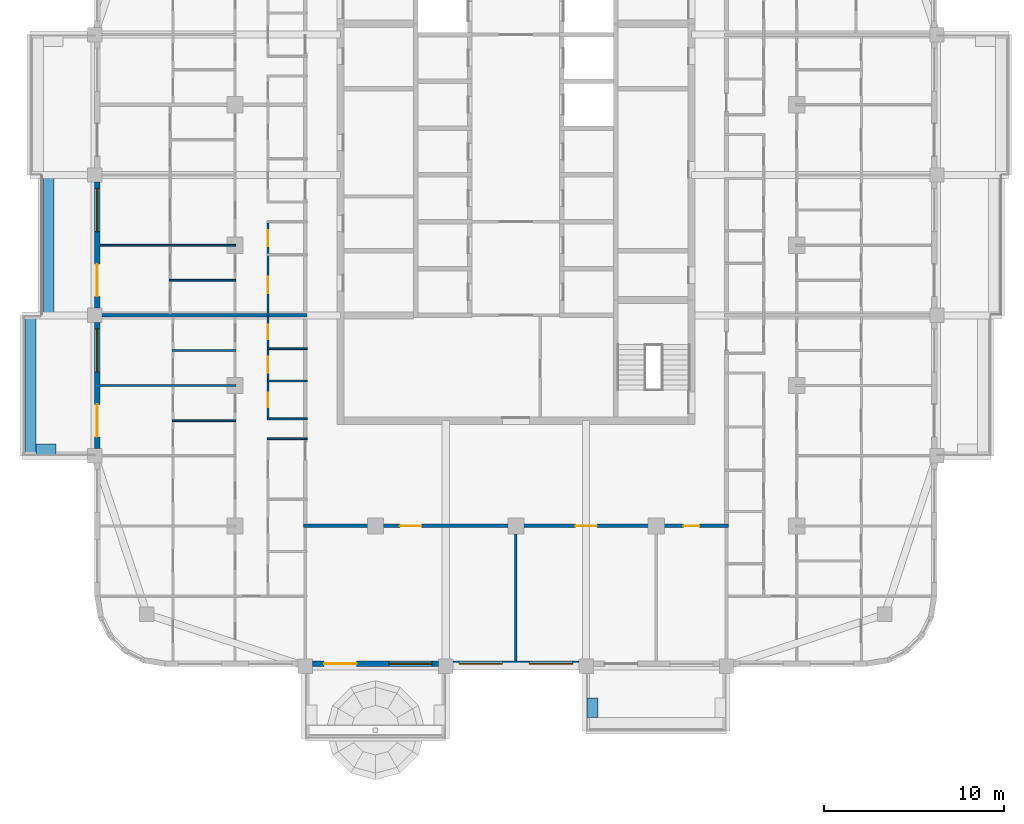
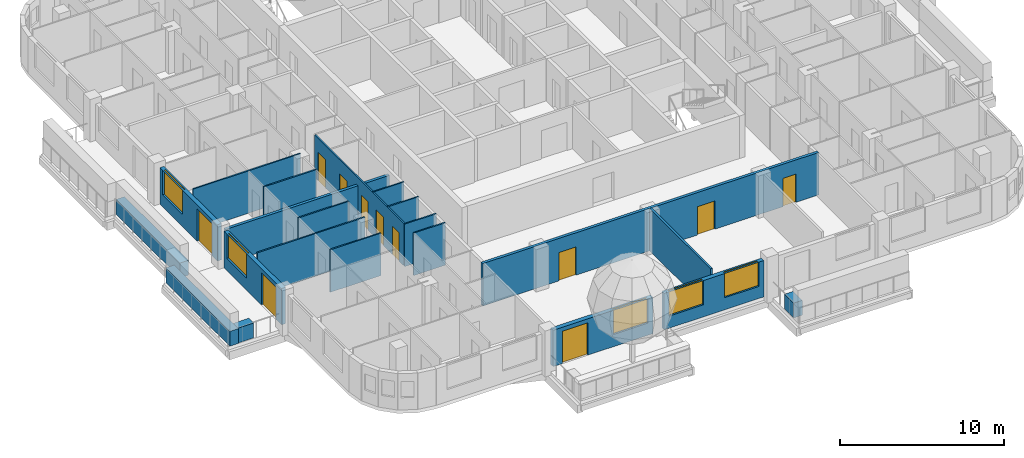
# One storey, part 3 of 17: 21 walls, 11 doors, 5 windows, 16 openings.
"""IFC4 building model written with IfcOpenShell, lengths in metres."""

import ifcopenshell
import ifcopenshell.guid

model = None  # the IFC model being written
_history = None  # IfcOwnerHistory: only IFC2X3 demands one
_inside = {}  # id of a spatial element -> (the spatial element, [elements in it])
_under = {}  # id of a project, library or spatial element -> (it, [spatial elements below it])
_declared = {}  # id of a project -> (the project, [libraries it declares])
_typed = {}  # id of a type object -> (the type object, [elements of that type])
_made_of = {}  # id of a material, layer set ... -> (it, [elements and type objects made of it])


def new_model(schema):
    """Start an empty IFC model of exactly this schema.

    Asked for "IFC4X3", IfcOpenShell would pick the latest addendum, in which some entities
    have other attributes; the version numbers below select the first issue.
    IFC2X3 requires an IfcOwnerHistory on every rooted entity: one is made here for all.
    """
    global model, _history
    if schema == "IFC4X3":
        model = ifcopenshell.file(schema_version=(4, 3, 0, 0))
    else:
        model = ifcopenshell.file(schema=schema)
    _inside.clear()
    _under.clear()
    _declared.clear()
    _typed.clear()
    _made_of.clear()
    _history = None
    if model.schema == "IFC2X3":
        org = make("IfcOrganization", Name="unknown")
        user = make(
            "IfcPersonAndOrganization",
            ThePerson=make("IfcPerson", FamilyName="unknown"),
            TheOrganization=org,
        )
        app = make(
            "IfcApplication",
            ApplicationDeveloper=org,
            Version="unknown",
            ApplicationFullName="unknown",
            ApplicationIdentifier="unknown",
        )
        _history = make(
            "IfcOwnerHistory",
            OwningUser=user,
            OwningApplication=app,
            ChangeAction="ADDED",
            CreationDate=0,
        )
    return model


def make(cls, **values):
    """One entity of the class cls with the attributes given. An attribute that is None is left unset."""
    return model.create_entity(
        cls, **{name: value for name, value in values.items() if value is not None}
    )


def rooted(cls, **values):
    """An entity with a GlobalId (a new one), such as an element, a storey or a relation."""
    return make(cls, GlobalId=ifcopenshell.guid.new(), OwnerHistory=_history, **values)


def si_unit(unit_type, name, prefix=None):
    """IfcSIUnit, for example si_unit("LENGTHUNIT", "METRE", prefix="MILLI")."""
    return make("IfcSIUnit", UnitType=unit_type, Prefix=prefix, Name=name)


def assignment(units):
    """IfcUnitAssignment: the units of a project."""
    return None if units is None else make("IfcUnitAssignment", Units=units)


def point(xyz):
    """IfcCartesianPoint."""
    return None if xyz is None else make("IfcCartesianPoint", Coordinates=xyz)


def direction(xyz):
    """IfcDirection."""
    return None if xyz is None else make("IfcDirection", DirectionRatios=xyz)


def frame(location, z_axis=None, x_axis=None):
    """IfcAxis2Placement3D, a coordinate frame: its origin and axes. An axis left out is left unset."""
    return make(
        "IfcAxis2Placement3D",
        Location=point(location),
        Axis=direction(z_axis),
        RefDirection=direction(x_axis),
    )


def frame_2d(location, x_axis=None):
    """IfcAxis2Placement2D, a coordinate frame in the plane: its origin and x axis."""
    return make(
        "IfcAxis2Placement2D", Location=point(location), RefDirection=direction(x_axis)
    )


def origin():
    """The frame at (0, 0, 0) with its axes left unset."""
    return frame((0.0, 0.0, 0.0))


def place(relative_to, where):
    """IfcLocalPlacement: puts the frame where relative to a parent placement (None: the world)."""
    return make(
        "IfcLocalPlacement", PlacementRelTo=relative_to, RelativePlacement=where
    )


def context(
    kind, dimensions, precision=None, world=None, true_north=None, identifier=None
):
    """IfcGeometricRepresentationContext, for example the 3D "Model" context."""
    return make(
        "IfcGeometricRepresentationContext",
        ContextIdentifier=identifier,
        ContextType=kind,
        CoordinateSpaceDimension=dimensions,
        Precision=precision,
        WorldCoordinateSystem=world,
        TrueNorth=true_north,
    )


def subcontext(parent, identifier, kind, view, scale=None):
    """IfcGeometricRepresentationSubContext, for example "Body" below "Model"."""
    return make(
        "IfcGeometricRepresentationSubContext",
        ContextIdentifier=identifier,
        ContextType=kind,
        ParentContext=parent,
        TargetScale=scale,
        TargetView=view,
    )


def project(units=None, contexts=None):
    """IfcProject with its units and contexts."""
    return rooted(
        "IfcProject",
        Name="project",
        RepresentationContexts=contexts,
        UnitsInContext=assignment(units),
    )


def spatial(cls, under=None, at=None, **own):
    """A site, building, storey or space (cls), placed at a placement, below another one or the project."""
    s = rooted(cls, ObjectPlacement=at, **own)
    if under is not None:
        _under.setdefault(under.id(), (under, []))[1].append(s)
    return s


def profile(cls, at=None, kind="AREA", **sizes):
    """A parametric profile (cls). Its sizes go by their IFC names, for example OverallWidth=200.0."""
    return make(cls, ProfileType=kind, Position=at, **sizes)


def rectangle(**sizes):
    """IfcRectangleProfileDef."""
    return profile("IfcRectangleProfileDef", **sizes)


def extrude(swept, where, along, depth):
    """IfcExtrudedAreaSolid: the profile swept, set in the frame where, extruded along a direction by depth."""
    return make(
        "IfcExtrudedAreaSolid",
        SweptArea=swept,
        Position=where,
        ExtrudedDirection=direction(along),
        Depth=depth,
    )


def shape(context_of_items, identifier, shape_type, items):
    """IfcShapeRepresentation: the items that make up one representation, for example the "Body"."""
    return make(
        "IfcShapeRepresentation",
        ContextOfItems=context_of_items,
        RepresentationIdentifier=identifier,
        RepresentationType=shape_type,
        Items=items,
    )


def material(Name=None, Category=None):
    """IfcMaterial."""
    return make("IfcMaterial", Name=Name, Category=Category)


def layer(
    of_material, thickness, ventilated=None, Name=None, Category=None, Priority=None
):
    """IfcMaterialLayer: one layer of a wall or slab, of a material (None: an air gap)."""
    return make(
        "IfcMaterialLayer",
        Material=of_material,
        LayerThickness=thickness,
        IsVentilated=ventilated,
        Name=Name,
        Category=Category,
        Priority=Priority,
    )


def layer_set(layers, Name=None):
    """IfcMaterialLayerSet."""
    return make("IfcMaterialLayerSet", MaterialLayers=layers, LayerSetName=Name)


def made_of(thing, what):
    """Note that an element or type object is made of a material, layer set ...; save() writes the relation."""
    if what is not None:
        _made_of.setdefault(what.id(), (what, []))[1].append(thing)
    return thing


def type_object(cls, material=None, **own):
    """A type object (cls), such as IfcWallType, which elements share."""
    return made_of(rooted(cls, **own), material)


def element(
    cls,
    number,
    at=None,
    inside=None,
    cuts=None,
    type_object=None,
    material=None,
    context=None,
    identifier="Body",
    shape_type=None,
    held_by="IfcProductDefinitionShape",
    body=None,
    shapes=None,
    **own,
):
    """One element of the class cls, such as IfcWall. Its Tag is "e" and its number.

    at: its placement. inside: the storey or other place that contains it. cuts: it is an
    opening in that element (IfcRelVoidsElement). A single representation is given by context,
    identifier, shape_type and body (its items); several are given by shapes. held_by: the class
    of the entity that holds the representations. save() writes the other relations.
    """
    e = rooted(cls, Tag="e%d" % number, ObjectPlacement=at, **own)
    if body is not None:
        shapes = [shape(context, identifier, shape_type, body)]
    if shapes is not None:
        e.Representation = make(held_by, Representations=shapes)
    if inside is not None:
        _inside.setdefault(inside.id(), (inside, []))[1].append(e)
    if cuts is not None:
        rooted(
            "IfcRelVoidsElement", RelatingBuildingElement=cuts, RelatedOpeningElement=e
        )
    if type_object is not None:
        _typed.setdefault(type_object.id(), (type_object, []))[1].append(e)
    return made_of(e, material)


def fill(opening, filler):
    """IfcRelFillsElement: the door or window that sits in an opening."""
    return rooted(
        "IfcRelFillsElement",
        RelatingOpeningElement=opening,
        RelatedBuildingElement=filler,
    )


def aggregate(whole, parts):
    """IfcRelAggregates: a whole, such as a stair, and the parts it consists of."""
    return rooted("IfcRelAggregates", RelatingObject=whole, RelatedObjects=parts)


def save(model, path):
    """Write the relations noted so far, then the file.

    IfcRelAggregates (storeys below a building ...), IfcRelContainedInSpatialStructure (elements
    in a storey), IfcRelDefinesByType, IfcRelAssociatesMaterial and IfcRelDeclares: one each for
    every whole, place, type object, material and project.
    """
    for whole, parts in _under.values():
        aggregate(whole, parts)
    for where, things in _inside.values():
        rooted(
            "IfcRelContainedInSpatialStructure",
            RelatedElements=things,
            RelatingStructure=where,
        )
    for kind, things in _typed.values():
        rooted("IfcRelDefinesByType", RelatedObjects=things, RelatingType=kind)
    for what, things in _made_of.values():
        rooted("IfcRelAssociatesMaterial", RelatedObjects=things, RelatingMaterial=what)
    for by, libraries in _declared.values():
        rooted("IfcRelDeclares", RelatingContext=by, RelatedDefinitions=libraries)
    model.write(path)


model = new_model("IFC4")

# Units and contexts
model_context = context("Model", 3, precision=1e-05, world=origin(), true_north=direction((0.0, 1.0)))
body_context = subcontext(model_context, "Body", "Model", "MODEL_VIEW")
ifc_project = project(units=[si_unit("LENGTHUNIT", "METRE"), si_unit("AREAUNIT", "SQUARE_METRE"), si_unit("VOLUMEUNIT", "CUBIC_METRE"), si_unit("PLANEANGLEUNIT", "RADIAN"), si_unit("MASSUNIT", "GRAM", prefix="KILO")], contexts=[model_context])

# Site, building, storey
site_placement = place(None, origin())
site = spatial("IfcSite", under=ifc_project, at=site_placement, CompositionType="ELEMENT")
building_placement = place(site_placement, origin())
building = spatial("IfcBuilding", under=site, at=building_placement, Name="Ludao Terraces", CompositionType="ELEMENT")
storey_placement = place(building_placement, frame((0.0, 0.0, 231.300048828125)))
storey = spatial("IfcBuildingStorey", under=building, at=storey_placement, Name="L63", CompositionType="ELEMENT", Elevation=231.300048828125)

# Walls
ifc_material_1 = material(Name="Concrete C40", Category="concrete")
ifc_layer_1 = layer(ifc_material_1, 0.60009765625)
ifc_layer_set_1 = layer_set([ifc_layer_1], Name="ENV Planter trough 600")
wall_type_1 = type_object("IfcWallType", Name="ENV Planter trough 600", PredefinedType="USERDEFINED", material=ifc_layer_set_1)
wall_1_placement = place(storey_placement, frame((89.25, 38.75, 0.0), z_axis=(0.0, 0.0, 1.0), x_axis=(0.0, 1.0, 0.0)))
element("IfcWall", 1, at=wall_1_placement, inside=storey, type_object=wall_type_1, Name="PL-L63-S3-SA", ObjectType="PLANTER", PredefinedType="USERDEFINED", context=body_context, shape_type="SweptSolid", body=[
    extrude(rectangle(XDim=1.10009765625, YDim=0.60009765625, at=frame_2d((0.550048828125, 0.0))), origin(), (0.0, 0.0, 1.0), 1.099853515625),
])
wall_2_placement = place(storey_placement, frame((58.050048828125, 53.300048828125, 0.0), z_axis=(0.0, 0.0, 1.0), x_axis=(0.0, 1.0, 0.0)))
element("IfcWall", 2, at=wall_2_placement, inside=storey, type_object=wall_type_1, Name="PL-L63-W1", ObjectType="PLANTER", PredefinedType="USERDEFINED", context=body_context, shape_type="SweptSolid", body=[
    extrude(rectangle(XDim=7.800048828125, YDim=0.60009765625, at=frame_2d((3.89990234375, 0.0))), origin(), (0.0, 0.0, 1.0), 1.099853515625),
])
wall_3_placement = place(storey_placement, frame((58.35009765625, 53.64990234375, 0.0), z_axis=(0.0, 0.0, 1.0), x_axis=(1.0, 0.0, 0.0)))
element("IfcWall", 3, at=wall_3_placement, inside=storey, type_object=wall_type_1, Name="PL-L63-W1-SA", ObjectType="PLANTER", PredefinedType="USERDEFINED", context=body_context, shape_type="SweptSolid", body=[
    extrude(rectangle(XDim=1.099853515625, YDim=0.60009765625, at=frame_2d((0.5498046875, 0.0))), origin(), (0.0, 0.0, 1.0), 1.099853515625),
])
wall_4_placement = place(storey_placement, frame((59.050048828125, 61.10009765625, 0.0), z_axis=(0.0, 0.0, 1.0), x_axis=(0.0, 1.0, 0.0)))
element("IfcWall", 4, at=wall_4_placement, inside=storey, type_object=wall_type_1, Name="PL-L63-W2", ObjectType="PLANTER", PredefinedType="USERDEFINED", context=body_context, shape_type="SweptSolid", body=[
    extrude(rectangle(XDim=7.7998046875, YDim=0.60009765625, at=frame_2d((3.89990234375, 0.0))), origin(), (0.0, 0.0, 1.0), 1.099853515625),
])

# Wall, openings, door, window
ifc_material_2 = material(Name="Granite cladding", Category="masonry")
ifc_layer_2 = layer(ifc_material_2, 0.0400390625, Category="stone")
ifc_material_3 = material(Name="Mineral wool")
ifc_layer_3 = layer(ifc_material_3, 0.06005859375)
ifc_layer_4 = layer(ifc_material_1, 0.199951171875, Category="concrete")
ifc_layer_set_2 = layer_set([ifc_layer_2, ifc_layer_3, ifc_layer_4], Name="ENV Stone-clad wall 300")
wall_type_2 = type_object("IfcWallType", Name="ENV Stone-clad wall 300", PredefinedType="SOLIDWALL", material=ifc_layer_set_2)
wall_5_placement = place(storey_placement, frame((73.699951171875, 41.75, 0.0), z_axis=(0.0, 0.0, 1.0), x_axis=(1.0, 0.0, 0.0)))
wall_5 = element("IfcWall", 5, at=wall_5_placement, inside=storey, type_object=wall_type_2, Name="EW-L63-S2", PredefinedType="SOLIDWALL", context=body_context, shape_type="SweptSolid", body=[
    extrude(rectangle(XDim=7.0, YDim=0.300048828125, at=frame_2d((3.5, 0.0))), origin(), (0.0, 0.0, 1.0), 2.699951171875),
])
opening_1_placement = place(wall_5_placement, frame((0.64990234375, 0.0, 0.0)))
opening_1 = element("IfcOpeningElement", 6, at=opening_1_placement, cuts=wall_5, Name="Opening BD", PredefinedType="OPENING", context=body_context, shape_type="SweptSolid", body=[
    extrude(rectangle(XDim=1.800048828125, YDim=2.39990234375, at=frame_2d((0.89990234375, 1.199951171875))), frame((0.0, 0.16015625, 0.0), z_axis=(0.0, -1.0, 0.0), x_axis=(1.0, 0.0, 0.0)), (0.0, 0.0, 1.0), 0.320068359375),
])
opening_2_placement = place(wall_5_placement, frame((4.25, 0.0, 0.89990234375)))
opening_2 = element("IfcOpeningElement", 7, at=opening_2_placement, cuts=wall_5, Name="Opening W1", PredefinedType="OPENING", context=body_context, shape_type="SweptSolid", body=[
    extrude(rectangle(XDim=2.39990234375, YDim=1.800048828125, at=frame_2d((1.199951171875, 0.89990234375))), frame((0.0, 0.16015625, 0.0), z_axis=(0.0, -1.0, 0.0), x_axis=(1.0, 0.0, 0.0)), (0.0, 0.0, 1.0), 0.320068359375),
])
ifc_material_4 = material(Name="Aluminium glazed door", Category="aluminium")
ifc_layer_5 = layer(ifc_material_4, 0.06005859375)
ifc_layer_set_3 = layer_set([ifc_layer_5], Name="ENV Balcony door BD 1800x2400")
door_type_1 = type_object("IfcDoorType", Name="ENV Balcony door BD 1800x2400", OperationType="DOUBLE_DOOR_SINGLE_SWING", PredefinedType="DOOR", material=ifc_layer_set_3)
door_1_placement = place(opening_1_placement, origin())
door_1 = element("IfcDoor", 8, at=door_1_placement, inside=storey, type_object=door_type_1, Name="BD-L63-S2-1", OperationType="DOUBLE_DOOR_SINGLE_SWING", OverallHeight=2.39990234375, OverallWidth=1.800048828125, PredefinedType="DOOR", context=body_context, shape_type="SweptSolid", body=[
    extrude(rectangle(XDim=1.800048828125, YDim=2.39990234375, at=frame_2d((0.89990234375, 1.199951171875))), frame((0.0, 0.02490234375, 0.0), z_axis=(0.0, -1.0, 0.0), x_axis=(1.0, 0.0, 0.0)), (0.0, 0.0, 1.0), 0.050048828125),
])
fill(opening_1, door_1)
ifc_material_5 = material(Name="Clear glass in aluminium frame", Category="aluminium")
ifc_layer_6 = layer(ifc_material_5, 0.06005859375)
ifc_layer_set_4 = layer_set([ifc_layer_6], Name="ENV Window W1 2400x1800")
window_type = type_object("IfcWindowType", Name="ENV Window W1 2400x1800", PartitioningType="DOUBLE_PANEL_VERTICAL", PredefinedType="WINDOW", material=ifc_layer_set_4)
window_1_placement = place(opening_2_placement, origin())
window_1 = element("IfcWindow", 9, at=window_1_placement, inside=storey, type_object=window_type, Name="W-L63-S2-2", OverallHeight=1.800048828125, OverallWidth=2.39990234375, PartitioningType="DOUBLE_PANEL_VERTICAL", PredefinedType="WINDOW", context=body_context, shape_type="SweptSolid", body=[
    extrude(rectangle(XDim=2.39990234375, YDim=1.800048828125, at=frame_2d((1.199951171875, 0.89990234375))), frame((0.0, 0.030029296875, 0.0), z_axis=(0.0, -1.0, 0.0), x_axis=(1.0, 0.0, 0.0)), (0.0, 0.0, 1.0), 0.06005859375),
])
fill(opening_2, window_1)

# Wall, openings, windows
wall_6_placement = place(storey_placement, frame((81.5, 41.75, 0.0), z_axis=(0.0, 0.0, 1.0), x_axis=(1.0, 0.0, 0.0)))
wall_6 = element("IfcWall", 10, at=wall_6_placement, inside=storey, type_object=wall_type_2, Name="EW-L63-S3", PredefinedType="SOLIDWALL", context=body_context, shape_type="SweptSolid", body=[
    extrude(rectangle(XDim=7.0, YDim=0.300048828125, at=frame_2d((3.5, 0.0))), origin(), (0.0, 0.0, 1.0), 2.699951171875),
])
opening_3_placement = place(wall_6_placement, frame((0.35009765625, 0.0, 0.89990234375)))
opening_3 = element("IfcOpeningElement", 11, at=opening_3_placement, cuts=wall_6, Name="Opening W1", PredefinedType="OPENING", context=body_context, shape_type="SweptSolid", body=[
    extrude(rectangle(XDim=2.39990234375, YDim=1.800048828125, at=frame_2d((1.199951171875, 0.89990234375))), frame((0.0, 0.16015625, 0.0), z_axis=(0.0, -1.0, 0.0), x_axis=(1.0, 0.0, 0.0)), (0.0, 0.0, 1.0), 0.320068359375),
])
opening_4_placement = place(wall_6_placement, frame((4.25, 0.0, 0.89990234375)))
opening_4 = element("IfcOpeningElement", 12, at=opening_4_placement, cuts=wall_6, Name="Opening W1", PredefinedType="OPENING", context=body_context, shape_type="SweptSolid", body=[
    extrude(rectangle(XDim=2.39990234375, YDim=1.800048828125, at=frame_2d((1.199951171875, 0.89990234375))), frame((0.0, 0.16015625, 0.0), z_axis=(0.0, -1.0, 0.0), x_axis=(1.0, 0.0, 0.0)), (0.0, 0.0, 1.0), 0.320068359375),
])
window_2_placement = place(opening_3_placement, origin())
window_2 = element("IfcWindow", 13, at=window_2_placement, inside=storey, type_object=window_type, Name="W-L63-S3-1", OverallHeight=1.800048828125, OverallWidth=2.39990234375, PartitioningType="DOUBLE_PANEL_VERTICAL", PredefinedType="WINDOW", context=body_context, shape_type="SweptSolid", body=[
    extrude(rectangle(XDim=2.39990234375, YDim=1.800048828125, at=frame_2d((1.199951171875, 0.89990234375))), frame((0.0, 0.030029296875, 0.0), z_axis=(0.0, -1.0, 0.0), x_axis=(1.0, 0.0, 0.0)), (0.0, 0.0, 1.0), 0.06005859375),
])
fill(opening_3, window_2)
window_3_placement = place(opening_4_placement, origin())
window_3 = element("IfcWindow", 14, at=window_3_placement, inside=storey, type_object=window_type, Name="W-L63-S3-2", OverallHeight=1.800048828125, OverallWidth=2.39990234375, PartitioningType="DOUBLE_PANEL_VERTICAL", PredefinedType="WINDOW", context=body_context, shape_type="SweptSolid", body=[
    extrude(rectangle(XDim=2.39990234375, YDim=1.800048828125, at=frame_2d((1.199951171875, 0.89990234375))), frame((0.0, 0.030029296875, 0.0), z_axis=(0.0, -1.0, 0.0), x_axis=(1.0, 0.0, 0.0)), (0.0, 0.0, 1.0), 0.06005859375),
])
fill(opening_4, window_3)

# Wall, openings, door, window
wall_7_placement = place(storey_placement, frame((61.75, 53.699951171875, 0.0), z_axis=(0.0, 0.0, 1.0), x_axis=(0.0, 1.0, 0.0)))
wall_7 = element("IfcWall", 15, at=wall_7_placement, inside=storey, type_object=wall_type_2, Name="EW-L63-W2", PredefinedType="SOLIDWALL", context=body_context, shape_type="SweptSolid", body=[
    extrude(rectangle(XDim=7.0, YDim=0.300048828125, at=frame_2d((3.5, 0.0))), origin(), (0.0, 0.0, 1.0), 2.699951171875),
])
opening_5_placement = place(wall_7_placement, frame((0.64990234375, 0.0, 0.0)))
opening_5 = element("IfcOpeningElement", 16, at=opening_5_placement, cuts=wall_7, Name="Opening BD", PredefinedType="OPENING", context=body_context, shape_type="SweptSolid", body=[
    extrude(rectangle(XDim=1.800048828125, YDim=2.39990234375, at=frame_2d((0.89990234375, 1.199951171875))), frame((0.0, 0.16015625, 0.0), z_axis=(0.0, -1.0, 0.0), x_axis=(1.0, 0.0, 0.0)), (0.0, 0.0, 1.0), 0.320068359375),
])
opening_6_placement = place(wall_7_placement, frame((4.25, 0.0, 0.89990234375)))
opening_6 = element("IfcOpeningElement", 17, at=opening_6_placement, cuts=wall_7, Name="Opening W1", PredefinedType="OPENING", context=body_context, shape_type="SweptSolid", body=[
    extrude(rectangle(XDim=2.39990234375, YDim=1.800048828125, at=frame_2d((1.199951171875, 0.89990234375))), frame((0.0, 0.16015625, 0.0), z_axis=(0.0, -1.0, 0.0), x_axis=(1.0, 0.0, 0.0)), (0.0, 0.0, 1.0), 0.320068359375),
])
door_2_placement = place(opening_5_placement, origin())
door_2 = element("IfcDoor", 18, at=door_2_placement, inside=storey, type_object=door_type_1, Name="BD-L63-W2-1", OperationType="DOUBLE_DOOR_SINGLE_SWING", OverallHeight=2.39990234375, OverallWidth=1.800048828125, PredefinedType="DOOR", context=body_context, shape_type="SweptSolid", body=[
    extrude(rectangle(XDim=1.800048828125, YDim=2.39990234375, at=frame_2d((0.89990234375, 1.199951171875))), frame((0.0, 0.02490234375, 0.0), z_axis=(0.0, -1.0, 0.0), x_axis=(1.0, 0.0, 0.0)), (0.0, 0.0, 1.0), 0.050048828125),
])
fill(opening_5, door_2)
window_4_placement = place(opening_6_placement, origin())
window_4 = element("IfcWindow", 19, at=window_4_placement, inside=storey, type_object=window_type, Name="W-L63-W2-2", OverallHeight=1.800048828125, OverallWidth=2.39990234375, PartitioningType="DOUBLE_PANEL_VERTICAL", PredefinedType="WINDOW", context=body_context, shape_type="SweptSolid", body=[
    extrude(rectangle(XDim=2.39990234375, YDim=1.800048828125, at=frame_2d((1.199951171875, 0.89990234375))), frame((0.0, 0.030029296875, 0.0), z_axis=(0.0, -1.0, 0.0), x_axis=(1.0, 0.0, 0.0)), (0.0, 0.0, 1.0), 0.06005859375),
])
fill(opening_6, window_4)

wall_8_placement = place(storey_placement, frame((61.75, 61.5, 0.0), z_axis=(0.0, 0.0, 1.0), x_axis=(0.0, 1.0, 0.0)))
wall_8 = element("IfcWall", 20, at=wall_8_placement, inside=storey, type_object=wall_type_2, Name="EW-L63-W3", PredefinedType="SOLIDWALL", context=body_context, shape_type="SweptSolid", body=[
    extrude(rectangle(XDim=7.0, YDim=0.300048828125, at=frame_2d((3.5, 0.0))), origin(), (0.0, 0.0, 1.0), 2.699951171875),
])
opening_7_placement = place(wall_8_placement, frame((0.64990234375, 0.0, 0.0)))
opening_7 = element("IfcOpeningElement", 21, at=opening_7_placement, cuts=wall_8, Name="Opening BD", PredefinedType="OPENING", context=body_context, shape_type="SweptSolid", body=[
    extrude(rectangle(XDim=1.800048828125, YDim=2.39990234375, at=frame_2d((0.89990234375, 1.199951171875))), frame((0.0, 0.16015625, 0.0), z_axis=(0.0, -1.0, 0.0), x_axis=(1.0, 0.0, 0.0)), (0.0, 0.0, 1.0), 0.320068359375),
])
opening_8_placement = place(wall_8_placement, frame((4.25, 0.0, 0.89990234375)))
opening_8 = element("IfcOpeningElement", 22, at=opening_8_placement, cuts=wall_8, Name="Opening W1", PredefinedType="OPENING", context=body_context, shape_type="SweptSolid", body=[
    extrude(rectangle(XDim=2.39990234375, YDim=1.800048828125, at=frame_2d((1.199951171875, 0.89990234375))), frame((0.0, 0.16015625, 0.0), z_axis=(0.0, -1.0, 0.0), x_axis=(1.0, 0.0, 0.0)), (0.0, 0.0, 1.0), 0.320068359375),
])
door_3_placement = place(opening_7_placement, origin())
door_3 = element("IfcDoor", 23, at=door_3_placement, inside=storey, type_object=door_type_1, Name="BD-L63-W3-1", OperationType="DOUBLE_DOOR_SINGLE_SWING", OverallHeight=2.39990234375, OverallWidth=1.800048828125, PredefinedType="DOOR", context=body_context, shape_type="SweptSolid", body=[
    extrude(rectangle(XDim=1.800048828125, YDim=2.39990234375, at=frame_2d((0.89990234375, 1.199951171875))), frame((0.0, 0.02490234375, 0.0), z_axis=(0.0, -1.0, 0.0), x_axis=(1.0, 0.0, 0.0)), (0.0, 0.0, 1.0), 0.050048828125),
])
fill(opening_7, door_3)
window_5_placement = place(opening_8_placement, origin())
window_5 = element("IfcWindow", 24, at=window_5_placement, inside=storey, type_object=window_type, Name="W-L63-W3-2", OverallHeight=1.800048828125, OverallWidth=2.39990234375, PartitioningType="DOUBLE_PANEL_VERTICAL", PredefinedType="WINDOW", context=body_context, shape_type="SweptSolid", body=[
    extrude(rectangle(XDim=2.39990234375, YDim=1.800048828125, at=frame_2d((1.199951171875, 0.89990234375))), frame((0.0, 0.030029296875, 0.0), z_axis=(0.0, -1.0, 0.0), x_axis=(1.0, 0.0, 0.0)), (0.0, 0.0, 1.0), 0.06005859375),
])
fill(opening_8, window_5)

# Wall, openings, doors
ifc_material_6 = material(Name="Autoclaved aerated concrete block B06 A3.5", Category="concrete")
ifc_layer_7 = layer(ifc_material_6, 0.199951171875)
ifc_layer_set_5 = layer_set([ifc_layer_7], Name="INT Entrance wall 200")
wall_type_3 = type_object("IfcWallType", Name="INT Entrance wall 200", PredefinedType="PARTITIONING", material=ifc_layer_set_5)
wall_9_placement = place(storey_placement, frame((73.2001953125, 49.39990234375, 0.0), z_axis=(0.0, 0.0, 1.0), x_axis=(1.0, 0.0, 0.0)))
wall_9 = element("IfcWall", 25, at=wall_9_placement, inside=storey, type_object=wall_type_3, Name="PW-L63-PW006", PredefinedType="PARTITIONING", context=body_context, shape_type="SweptSolid", body=[
    extrude(rectangle(XDim=23.599853515625, YDim=0.199951171875, at=frame_2d((11.7998046875, 0.0))), origin(), (0.0, 0.0, 1.0), 3.14990234375),
])
opening_9_placement = place(wall_9_placement, frame((5.349853515625, 0.0, 0.0)))
opening_9 = element("IfcOpeningElement", 26, at=opening_9_placement, cuts=wall_9, Name="Opening R22-015", PredefinedType="OPENING", context=body_context, shape_type="SweptSolid", body=[
    extrude(rectangle(XDim=1.199951171875, YDim=2.10009765625, at=frame_2d((0.60009765625, 1.050048828125))), frame((0.0, 0.10986328125, 0.0), z_axis=(0.0, -1.0, 0.0), x_axis=(1.0, 0.0, 0.0)), (0.0, 0.0, 1.0), 0.219970703125),
])
opening_10_placement = place(wall_9_placement, frame((15.099853515625, 0.0, 0.0)))
opening_10 = element("IfcOpeningElement", 27, at=opening_10_placement, cuts=wall_9, Name="Opening R22-016", PredefinedType="OPENING", context=body_context, shape_type="SweptSolid", body=[
    extrude(rectangle(XDim=1.199951171875, YDim=2.10009765625, at=frame_2d((0.60009765625, 1.050048828125))), frame((0.0, 0.10986328125, 0.0), z_axis=(0.0, -1.0, 0.0), x_axis=(1.0, 0.0, 0.0)), (0.0, 0.0, 1.0), 0.219970703125),
])
opening_11_placement = place(wall_9_placement, frame((21.099853515625, 0.0, 0.0)))
opening_11 = element("IfcOpeningElement", 28, at=opening_11_placement, cuts=wall_9, Name="Opening R22-017", PredefinedType="OPENING", context=body_context, shape_type="SweptSolid", body=[
    extrude(rectangle(XDim=0.89990234375, YDim=2.10009765625, at=frame_2d((0.449951171875, 1.050048828125))), frame((0.0, 0.10986328125, 0.0), z_axis=(0.0, -1.0, 0.0), x_axis=(1.0, 0.0, 0.0)), (0.0, 0.0, 1.0), 0.219970703125),
])
ifc_material_7 = material(Name="Timber door leaf", Category="wood")
door_type_2 = type_object("IfcDoorType", Name="INT Double door 1200", OperationType="DOUBLE_DOOR_SINGLE_SWING", PredefinedType="DOOR", material=ifc_material_7)
door_4_placement = place(opening_9_placement, origin())
door_4 = element("IfcDoor", 29, at=door_4_placement, inside=storey, type_object=door_type_2, Name="DOOR 015", OperationType="DOUBLE_DOOR_SINGLE_SWING", OverallHeight=2.10009765625, OverallWidth=1.199951171875, PredefinedType="DOOR", context=body_context, shape_type="SweptSolid", body=[
    extrude(rectangle(XDim=1.199951171875, YDim=2.10009765625, at=frame_2d((0.60009765625, 1.050048828125))), frame((0.0, 0.02490234375, 0.0), z_axis=(0.0, -1.0, 0.0), x_axis=(1.0, 0.0, 0.0)), (0.0, 0.0, 1.0), 0.050048828125),
])
fill(opening_9, door_4)
door_5_placement = place(opening_10_placement, origin())
door_5 = element("IfcDoor", 30, at=door_5_placement, inside=storey, type_object=door_type_2, Name="DOOR 016", OperationType="DOUBLE_DOOR_SINGLE_SWING", OverallHeight=2.10009765625, OverallWidth=1.199951171875, PredefinedType="DOOR", context=body_context, shape_type="SweptSolid", body=[
    extrude(rectangle(XDim=1.199951171875, YDim=2.10009765625, at=frame_2d((0.60009765625, 1.050048828125))), frame((0.0, 0.02490234375, 0.0), z_axis=(0.0, -1.0, 0.0), x_axis=(1.0, 0.0, 0.0)), (0.0, 0.0, 1.0), 0.050048828125),
])
fill(opening_10, door_5)
door_type_3 = type_object("IfcDoorType", Name="INT Room door 900", OperationType="SINGLE_SWING_LEFT", PredefinedType="DOOR", material=ifc_material_7)
door_6_placement = place(opening_11_placement, origin())
door_6 = element("IfcDoor", 31, at=door_6_placement, inside=storey, type_object=door_type_3, Name="DOOR 017", OperationType="SINGLE_SWING_RIGHT", OverallHeight=2.10009765625, OverallWidth=0.89990234375, PredefinedType="DOOR", context=body_context, shape_type="SweptSolid", body=[
    extrude(rectangle(XDim=0.89990234375, YDim=2.10009765625, at=frame_2d((0.449951171875, 1.050048828125))), frame((0.0, 0.02490234375, 0.0), z_axis=(0.0, -1.0, 0.0), x_axis=(1.0, 0.0, 0.0)), (0.0, 0.0, 1.0), 0.050048828125),
])
fill(opening_11, door_6)

# Walls
ifc_material_8 = material(Name="Gypsum plasterboard", Category="gypsum")
ifc_layer_8 = layer(ifc_material_8, 0.012451171875, Category="gypsum")
ifc_layer_9 = layer(ifc_material_3, 0.06005859375, Name="insulation")
ifc_material_9 = material(Name="Steel Q235", Category="steel")
ifc_layer_10 = layer(ifc_material_9, 0.014892578125, Name="stud")
ifc_layer_11 = layer(ifc_material_8, 0.012451171875, Category="gypsum")
ifc_layer_set_6 = layer_set([ifc_layer_8, ifc_layer_9, ifc_layer_10, ifc_layer_11], Name="INT Partition 100")
wall_type_4 = type_object("IfcWallType", Name="INT Partition 100", PredefinedType="PARTITIONING", material=ifc_layer_set_6)
wall_10_placement = place(storey_placement, frame((71.18017578125, 54.25, 0.0), z_axis=(0.0, 0.0, 1.0), x_axis=(1.0, 0.0, 0.0)))
element("IfcWall", 32, at=wall_10_placement, inside=storey, type_object=wall_type_4, Name="PW-L63-PW013", PredefinedType="PARTITIONING", context=body_context, shape_type="SweptSolid", body=[
    extrude(rectangle(XDim=2.219970703125, YDim=0.10009765625, at=frame_2d((1.10986328125, 0.0))), origin(), (0.0, 0.0, 1.0), 3.14990234375),
])
wall_11_placement = place(storey_placement, frame((65.900146484375, 55.25, 0.0), z_axis=(0.0, 0.0, 1.0), x_axis=(1.0, 0.0, 0.0)))
element("IfcWall", 33, at=wall_11_placement, inside=storey, type_object=wall_type_4, Name="PW-L63-PW015", PredefinedType="PARTITIONING", context=body_context, shape_type="SweptSolid", body=[
    extrude(rectangle(XDim=3.550048828125, YDim=0.10009765625, at=frame_2d((1.77490234375, 0.0))), origin(), (0.0, 0.0, 1.0), 3.14990234375),
])
wall_12_placement = place(storey_placement, frame((71.18017578125, 55.35009765625, 0.0), z_axis=(0.0, 0.0, 1.0), x_axis=(1.0, 0.0, 0.0)))
element("IfcWall", 34, at=wall_12_placement, inside=storey, type_object=wall_type_4, Name="PW-L63-PW016", PredefinedType="PARTITIONING", context=body_context, shape_type="SweptSolid", body=[
    extrude(rectangle(XDim=2.219970703125, YDim=0.10009765625, at=frame_2d((1.10986328125, 0.0))), origin(), (0.0, 0.0, 1.0), 3.14990234375),
])
wall_13_placement = place(storey_placement, frame((61.900146484375, 57.199951171875, 0.0), z_axis=(0.0, 0.0, 1.0), x_axis=(1.0, 0.0, 0.0)))
element("IfcWall", 35, at=wall_13_placement, inside=storey, type_object=wall_type_4, Name="PW-L63-PW017", PredefinedType="PARTITIONING", context=body_context, shape_type="SweptSolid", body=[
    extrude(rectangle(XDim=7.550048828125, YDim=0.10009765625, at=frame_2d((3.77490234375, 0.0))), origin(), (0.0, 0.0, 1.0), 3.14990234375),
])
wall_14_placement = place(storey_placement, frame((71.18017578125, 57.449951171875, 0.0), z_axis=(0.0, 0.0, 1.0), x_axis=(1.0, 0.0, 0.0)))
element("IfcWall", 36, at=wall_14_placement, inside=storey, type_object=wall_type_4, Name="PW-L63-PW019", PredefinedType="PARTITIONING", context=body_context, shape_type="SweptSolid", body=[
    extrude(rectangle(XDim=2.219970703125, YDim=0.10009765625, at=frame_2d((1.10986328125, 0.0))), origin(), (0.0, 0.0, 1.0), 3.14990234375),
])
wall_15_placement = place(storey_placement, frame((65.900146484375, 59.14990234375, 0.0), z_axis=(0.0, 0.0, 1.0), x_axis=(1.0, 0.0, 0.0)))
element("IfcWall", 37, at=wall_15_placement, inside=storey, type_object=wall_type_4, Name="PW-L63-PW022", PredefinedType="PARTITIONING", context=body_context, shape_type="SweptSolid", body=[
    extrude(rectangle(XDim=3.550048828125, YDim=0.10009765625, at=frame_2d((1.77490234375, 0.0))), origin(), (0.0, 0.0, 1.0), 3.14990234375),
])
wall_16_placement = place(storey_placement, frame((71.18017578125, 59.25, 0.0), z_axis=(0.0, 0.0, 1.0), x_axis=(1.0, 0.0, 0.0)))
element("IfcWall", 38, at=wall_16_placement, inside=storey, type_object=wall_type_4, Name="PW-L63-PW024", PredefinedType="PARTITIONING", context=body_context, shape_type="SweptSolid", body=[
    extrude(rectangle(XDim=2.219970703125, YDim=0.10009765625, at=frame_2d((1.10986328125, 0.0))), origin(), (0.0, 0.0, 1.0), 3.14990234375),
])
wall_17_placement = place(storey_placement, frame((65.75, 63.050048828125, 0.0), z_axis=(0.0, 0.0, 1.0), x_axis=(1.0, 0.0, 0.0)))
element("IfcWall", 39, at=wall_17_placement, inside=storey, type_object=wall_type_4, Name="PW-L63-PW028", PredefinedType="PARTITIONING", context=body_context, shape_type="SweptSolid", body=[
    extrude(rectangle(XDim=3.7001953125, YDim=0.10009765625, at=frame_2d((1.85009765625, 0.0))), origin(), (0.0, 0.0, 1.0), 3.14990234375),
])
wall_18_placement = place(storey_placement, frame((61.900146484375, 65.0, 0.0), z_axis=(0.0, 0.0, 1.0), x_axis=(1.0, 0.0, 0.0)))
element("IfcWall", 40, at=wall_18_placement, inside=storey, type_object=wall_type_4, Name="PW-L63-PW032", PredefinedType="PARTITIONING", context=body_context, shape_type="SweptSolid", body=[
    extrude(rectangle(XDim=7.550048828125, YDim=0.10009765625, at=frame_2d((3.77490234375, 0.0))), origin(), (0.0, 0.0, 1.0), 3.14990234375),
])

# Wall, openings, doors
wall_19_placement = place(storey_placement, frame((71.22998046875, 55.400146484375, 0.0), z_axis=(0.0, 0.0, 1.0), x_axis=(0.0, 1.0, 0.0)))
wall_19 = element("IfcWall", 41, at=wall_19_placement, inside=storey, type_object=wall_type_4, Name="PW-L63-PW074", PredefinedType="PARTITIONING", context=body_context, shape_type="SweptSolid", body=[
    extrude(rectangle(XDim=10.849853515625, YDim=0.10009765625, at=frame_2d((5.4248046875, 0.0))), origin(), (0.0, 0.0, 1.0), 3.14990234375),
])
opening_12_placement = place(wall_19_placement, frame((0.60009765625, 0.0, 0.0)))
opening_12 = element("IfcOpeningElement", 42, at=opening_12_placement, cuts=wall_19, Name="Opening R22-034", PredefinedType="OPENING", context=body_context, shape_type="SweptSolid", body=[
    extrude(rectangle(XDim=0.800048828125, YDim=2.10009765625, at=frame_2d((0.39990234375, 1.050048828125))), frame((0.0, 0.06005859375, 0.0), z_axis=(0.0, -1.0, 0.0), x_axis=(1.0, 0.0, 0.0)), (0.0, 0.0, 1.0), 0.1201171875),
])
opening_13_placement = place(wall_19_placement, frame((2.5, 0.0, 0.0)))
opening_13 = element("IfcOpeningElement", 43, at=opening_13_placement, cuts=wall_19, Name="Opening R22-039", PredefinedType="OPENING", context=body_context, shape_type="SweptSolid", body=[
    extrude(rectangle(XDim=0.89990234375, YDim=2.10009765625, at=frame_2d((0.449951171875, 1.050048828125))), frame((0.0, 0.06005859375, 0.0), z_axis=(0.0, -1.0, 0.0), x_axis=(1.0, 0.0, 0.0)), (0.0, 0.0, 1.0), 0.1201171875),
])
opening_14_placement = place(wall_19_placement, frame((4.375, 0.0, 0.0)))
opening_14 = element("IfcOpeningElement", 44, at=opening_14_placement, cuts=wall_19, Name="Opening R22-046", PredefinedType="OPENING", context=body_context, shape_type="SweptSolid", body=[
    extrude(rectangle(XDim=0.800048828125, YDim=2.10009765625, at=frame_2d((0.39990234375, 1.050048828125))), frame((0.0, 0.06005859375, 0.0), z_axis=(0.0, -1.0, 0.0), x_axis=(1.0, 0.0, 0.0)), (0.0, 0.0, 1.0), 0.1201171875),
])
opening_15_placement = place(wall_19_placement, frame((6.93505859375, 0.0, 0.0)))
opening_15 = element("IfcOpeningElement", 45, at=opening_15_placement, cuts=wall_19, Name="Opening R22-053", PredefinedType="OPENING", context=body_context, shape_type="SweptSolid", body=[
    extrude(rectangle(XDim=0.89990234375, YDim=2.10009765625, at=frame_2d((0.449951171875, 1.050048828125))), frame((0.0, 0.06005859375, 0.0), z_axis=(0.0, -1.0, 0.0), x_axis=(1.0, 0.0, 0.0)), (0.0, 0.0, 1.0), 0.1201171875),
])
opening_16_placement = place(wall_19_placement, frame((9.534912109375, 0.0, 0.0)))
opening_16 = element("IfcOpeningElement", 46, at=opening_16_placement, cuts=wall_19, Name="Opening R22-063", PredefinedType="OPENING", context=body_context, shape_type="SweptSolid", body=[
    extrude(rectangle(XDim=0.89990234375, YDim=2.10009765625, at=frame_2d((0.449951171875, 1.050048828125))), frame((0.0, 0.06005859375, 0.0), z_axis=(0.0, -1.0, 0.0), x_axis=(1.0, 0.0, 0.0)), (0.0, 0.0, 1.0), 0.1201171875),
])
door_type_4 = type_object("IfcDoorType", Name="INT Bathroom door 900", OperationType="SINGLE_SWING_LEFT", PredefinedType="DOOR", material=ifc_material_7)
door_7_placement = place(opening_13_placement, origin())
door_7 = element("IfcDoor", 47, at=door_7_placement, inside=storey, type_object=door_type_4, Name="DOOR 039", OperationType="SINGLE_SWING_LEFT", OverallHeight=2.10009765625, OverallWidth=0.89990234375, PredefinedType="DOOR", context=body_context, shape_type="SweptSolid", body=[
    extrude(rectangle(XDim=0.89990234375, YDim=2.10009765625, at=frame_2d((0.449951171875, 1.050048828125))), frame((0.0, 0.02490234375, 0.0), z_axis=(0.0, -1.0, 0.0), x_axis=(1.0, 0.0, 0.0)), (0.0, 0.0, 1.0), 0.050048828125),
])
fill(opening_13, door_7)
door_8_placement = place(opening_16_placement, origin())
door_8 = element("IfcDoor", 48, at=door_8_placement, inside=storey, type_object=door_type_4, Name="DOOR 063", OperationType="SINGLE_SWING_RIGHT", OverallHeight=2.10009765625, OverallWidth=0.89990234375, PredefinedType="DOOR", context=body_context, shape_type="SweptSolid", body=[
    extrude(rectangle(XDim=0.89990234375, YDim=2.10009765625, at=frame_2d((0.449951171875, 1.050048828125))), frame((0.0, 0.02490234375, 0.0), z_axis=(0.0, -1.0, 0.0), x_axis=(1.0, 0.0, 0.0)), (0.0, 0.0, 1.0), 0.050048828125),
])
fill(opening_16, door_8)
door_9_placement = place(opening_15_placement, origin())
door_9 = element("IfcDoor", 49, at=door_9_placement, inside=storey, type_object=door_type_3, Name="DOOR 053", OperationType="SINGLE_SWING_RIGHT", OverallHeight=2.10009765625, OverallWidth=0.89990234375, PredefinedType="DOOR", context=body_context, shape_type="SweptSolid", body=[
    extrude(rectangle(XDim=0.89990234375, YDim=2.10009765625, at=frame_2d((0.449951171875, 1.050048828125))), frame((0.0, 0.02490234375, 0.0), z_axis=(0.0, -1.0, 0.0), x_axis=(1.0, 0.0, 0.0)), (0.0, 0.0, 1.0), 0.050048828125),
])
fill(opening_15, door_9)
door_type_5 = type_object("IfcDoorType", Name="INT Store door 800", OperationType="SINGLE_SWING_LEFT", PredefinedType="DOOR", material=ifc_material_7)
door_10_placement = place(opening_12_placement, origin())
door_10 = element("IfcDoor", 50, at=door_10_placement, inside=storey, type_object=door_type_5, Name="DOOR 034", OperationType="SINGLE_SWING_RIGHT", OverallHeight=2.10009765625, OverallWidth=0.800048828125, PredefinedType="DOOR", context=body_context, shape_type="SweptSolid", body=[
    extrude(rectangle(XDim=0.800048828125, YDim=2.10009765625, at=frame_2d((0.39990234375, 1.050048828125))), frame((0.0, 0.02490234375, 0.0), z_axis=(0.0, -1.0, 0.0), x_axis=(1.0, 0.0, 0.0)), (0.0, 0.0, 1.0), 0.050048828125),
])
fill(opening_12, door_10)
door_11_placement = place(opening_14_placement, origin())
door_11 = element("IfcDoor", 51, at=door_11_placement, inside=storey, type_object=door_type_5, Name="DOOR 046", OperationType="SINGLE_SWING_LEFT", OverallHeight=2.10009765625, OverallWidth=0.800048828125, PredefinedType="DOOR", context=body_context, shape_type="SweptSolid", body=[
    extrude(rectangle(XDim=0.800048828125, YDim=2.10009765625, at=frame_2d((0.39990234375, 1.050048828125))), frame((0.0, 0.02490234375, 0.0), z_axis=(0.0, -1.0, 0.0), x_axis=(1.0, 0.0, 0.0)), (0.0, 0.0, 1.0), 0.050048828125),
])
fill(opening_14, door_11)

# Walls
ifc_layer_12 = layer(ifc_material_6, 0.14990234375)
ifc_layer_set_7 = layer_set([ifc_layer_12], Name="INT Party wall 150")
wall_type_5 = type_object("IfcWallType", Name="INT Party wall 150", PredefinedType="PARTITIONING", material=ifc_layer_set_7)
wall_20_placement = place(storey_placement, frame((85.0, 41.900146484375, 0.0), z_axis=(0.0, 0.0, 1.0), x_axis=(0.0, 1.0, 0.0)))
element("IfcWall", 52, at=wall_20_placement, inside=storey, type_object=wall_type_5, Name="PW-L63-PW082", PredefinedType="PARTITIONING", context=body_context, shape_type="SweptSolid", body=[
    extrude(rectangle(XDim=7.39990234375, YDim=0.14990234375, at=frame_2d((3.699951171875, 0.0))), origin(), (0.0, 0.0, 1.0), 3.14990234375),
])
ifc_layer_13 = layer(ifc_material_6, 0.199951171875)
ifc_layer_set_8 = layer_set([ifc_layer_13], Name="INT Party wall 200")
wall_type_6 = type_object("IfcWallType", Name="INT Party wall 200", PredefinedType="PARTITIONING", material=ifc_layer_set_8)
wall_21_placement = place(storey_placement, frame((61.900146484375, 61.10009765625, 0.0), z_axis=(0.0, 0.0, 1.0), x_axis=(1.0, 0.0, 0.0)))
element("IfcWall", 53, at=wall_21_placement, inside=storey, type_object=wall_type_6, Name="PW-L63-PW025", PredefinedType="PARTITIONING", context=body_context, shape_type="SweptSolid", body=[
    extrude(rectangle(XDim=11.5, YDim=0.199951171875, at=frame_2d((5.75, 0.0))), origin(), (0.0, 0.0, 1.0), 2.5498046875),
])

save(model, "model.ifc")
